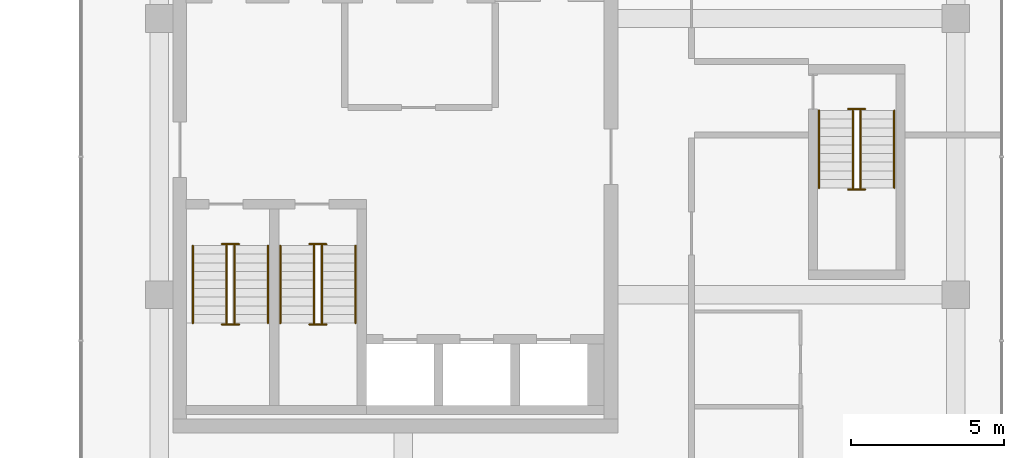
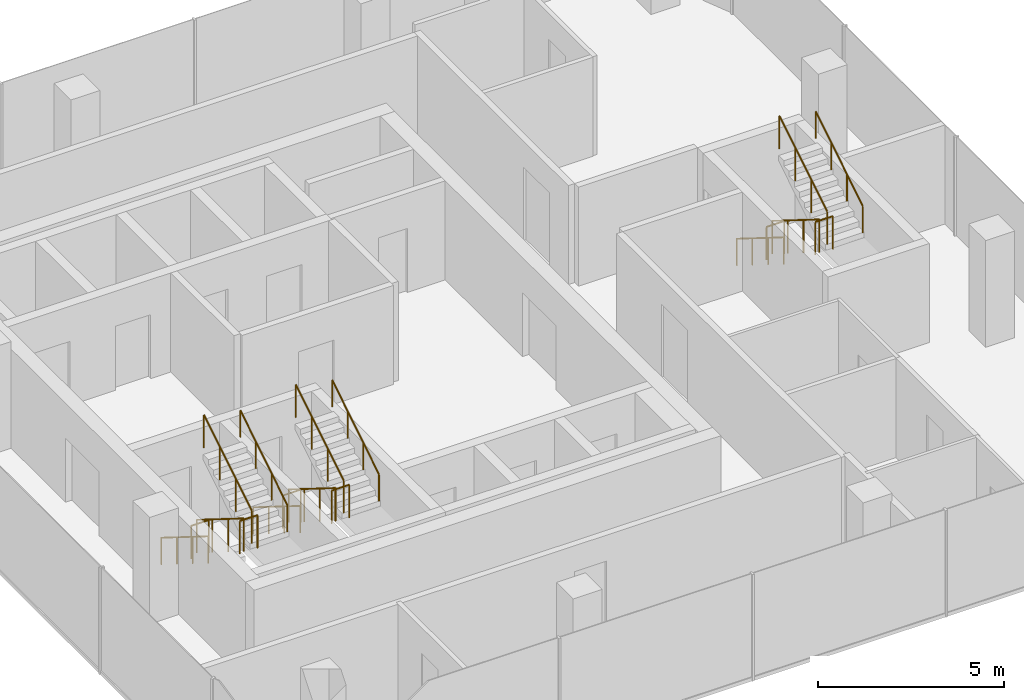
# One storey, part 23 of 23: 18 railings.
"""IFC4 building model written with IfcOpenShell, lengths in metres."""

from ifc_helpers import new_model, si_unit, direction, frame, origin, origin_2d, place, context, subcontext, project, spatial, circle, extrude, material, type_object, element, save


model = new_model("IFC4")

# Units and contexts
model_context = context("Model", 3, precision=1e-05, world=origin(), true_north=direction((0.0, 1.0)))
body_context = subcontext(model_context, "Body", "Model", "MODEL_VIEW")
ifc_project = project(units=[si_unit("LENGTHUNIT", "METRE"), si_unit("AREAUNIT", "SQUARE_METRE"), si_unit("VOLUMEUNIT", "CUBIC_METRE"), si_unit("PLANEANGLEUNIT", "RADIAN"), si_unit("MASSUNIT", "GRAM", prefix="KILO")], contexts=[model_context])

# Site, building, storey
site_placement = place(None, origin())
site = spatial("IfcSite", under=ifc_project, at=site_placement, CompositionType="ELEMENT")
building_placement = place(site_placement, origin())
building = spatial("IfcBuilding", under=site, at=building_placement, Name="Plateau Cross Towers", CompositionType="ELEMENT")
storey_placement = place(building_placement, frame((0.0, 0.0, 81.800048828125)))
storey = spatial("IfcBuildingStorey", under=building, at=storey_placement, Name="L20", CompositionType="ELEMENT", Elevation=81.800048828125)

# Railings
ifc_material_1 = material(Name="Stainless steel and toughened glass", Category="steel")
railing_type_1 = type_object("IfcRailingType", Name="RL-GUARD-1100", PredefinedType="GUARDRAIL", material=ifc_material_1)
railing_1_placement = place(storey_placement, frame((76.75, 6.10009765625, 0.175048828125)))
element("IfcRailing", 1, at=railing_1_placement, inside=storey, type_object=railing_type_1, Name="L20 SB-1 stair guard 1", PredefinedType="GUARDRAIL", context=body_context, shape_type="SweptSolid", body=[
    extrude(circle(Radius=0.02392578125, at=origin_2d()), frame((0.0, 0.0, 1.076171875), z_axis=(0.0, -0.848007534815, 0.529984170421), x_axis=(1.0, 0.0, 0.0)), (0.0, 0.0, 1.0), 2.9716796875),
    extrude(circle(Radius=0.02099609375, at=origin_2d()), origin(), (0.0, 0.0, 1.0), 1.052001953125),
    extrude(circle(Radius=0.02099609375, at=origin_2d()), frame((0.0, -0.840087890625, 0.52490234375)), (0.0, 0.0, 1.0), 1.052001953125),
    extrude(circle(Radius=0.02099609375, at=origin_2d()), frame((0.0, -1.679931640625, 1.050048828125)), (0.0, 0.0, 1.0), 1.052001953125),
    extrude(circle(Radius=0.02099609375, at=origin_2d()), frame((0.0, -2.52001953125, 1.574951171875)), (0.0, 0.0, 1.0), 1.052001953125),
])
railing_2_placement = place(storey_placement, frame((76.60009765625, 3.530029296875, 1.75)))
element("IfcRailing", 2, at=railing_2_placement, inside=storey, type_object=railing_type_1, Name="L20 SB-1 stair guard 2", PredefinedType="GUARDRAIL", context=body_context, shape_type="SweptSolid", body=[
    extrude(circle(Radius=0.02392578125, at=origin_2d()), frame((0.0, 0.0, 1.076171875), z_axis=(1.0, 0.0, 0.0), x_axis=(0.0, 1.0, 0.0)), (0.0, 0.0, 1.0), 0.5498046875),
    extrude(circle(Radius=0.02099609375, at=origin_2d()), origin(), (0.0, 0.0, 1.0), 1.052001953125),
    extrude(circle(Radius=0.02099609375, at=origin_2d()), frame((0.5498046875, 0.0, 0.0)), (0.0, 0.0, 1.0), 1.052001953125),
])
railing_3_placement = place(storey_placement, frame((77.0, 3.580078125, 1.925048828125)))
element("IfcRailing", 3, at=railing_3_placement, inside=storey, type_object=railing_type_1, Name="L20 SB-1 stair guard 3", PredefinedType="GUARDRAIL", context=body_context, shape_type="SweptSolid", body=[
    extrude(circle(Radius=0.02392578125, at=origin_2d()), frame((0.0, 0.0, 1.076171875), z_axis=(0.0, 0.852616386126, 0.522537365276), x_axis=(-1.0, 0.0, 0.0)), (0.0, 0.0, 1.0), 3.01416015625),
    extrude(circle(Radius=0.02099609375, at=origin_2d()), origin(), (0.0, 0.0, 1.0), 1.052001953125),
    extrude(circle(Radius=0.02099609375, at=origin_2d()), frame((0.0, 0.856689453125, 0.52490234375)), (0.0, 0.0, 1.0), 1.052001953125),
    extrude(circle(Radius=0.02099609375, at=origin_2d()), frame((0.0, 1.713134765625, 1.050048828125)), (0.0, 0.0, 1.0), 1.052001953125),
    extrude(circle(Radius=0.02099609375, at=origin_2d()), frame((0.0, 2.56982421875, 1.574951171875)), (0.0, 0.0, 1.0), 1.052001953125),
])
railing_4_placement = place(storey_placement, frame((76.60009765625, 6.14990234375, 0.0)))
element("IfcRailing", 4, at=railing_4_placement, inside=storey, type_object=railing_type_1, Name="L20 SB-1 stair guard 4", PredefinedType="GUARDRAIL", context=body_context, shape_type="SweptSolid", body=[
    extrude(circle(Radius=0.02392578125, at=origin_2d()), frame((0.0, 0.0, 1.076171875), z_axis=(1.0, 0.0, 0.0), x_axis=(0.0, 1.0, 0.0)), (0.0, 0.0, 1.0), 0.5498046875),
    extrude(circle(Radius=0.02099609375, at=origin_2d()), origin(), (0.0, 0.0, 1.0), 1.052001953125),
    extrude(circle(Radius=0.02099609375, at=origin_2d()), frame((0.5498046875, 0.0, 0.0)), (0.0, 0.0, 1.0), 1.052001953125),
])
railing_5_placement = place(storey_placement, frame((79.60009765625, 6.10009765625, 0.175048828125)))
element("IfcRailing", 5, at=railing_5_placement, inside=storey, type_object=railing_type_1, Name="L20 SB-2 stair guard 1", PredefinedType="GUARDRAIL", context=body_context, shape_type="SweptSolid", body=[
    extrude(circle(Radius=0.02392578125, at=origin_2d()), frame((0.0, 0.0, 1.076171875), z_axis=(0.0, -0.848007534815, 0.529984170421), x_axis=(1.0, 0.0, 0.0)), (0.0, 0.0, 1.0), 2.9716796875),
    extrude(circle(Radius=0.02099609375, at=origin_2d()), origin(), (0.0, 0.0, 1.0), 1.052001953125),
    extrude(circle(Radius=0.02099609375, at=origin_2d()), frame((0.0, -0.840087890625, 0.52490234375)), (0.0, 0.0, 1.0), 1.052001953125),
    extrude(circle(Radius=0.02099609375, at=origin_2d()), frame((0.0, -1.679931640625, 1.050048828125)), (0.0, 0.0, 1.0), 1.052001953125),
    extrude(circle(Radius=0.02099609375, at=origin_2d()), frame((0.0, -2.52001953125, 1.574951171875)), (0.0, 0.0, 1.0), 1.052001953125),
])
railing_6_placement = place(storey_placement, frame((79.449951171875, 3.530029296875, 1.75)))
element("IfcRailing", 6, at=railing_6_placement, inside=storey, type_object=railing_type_1, Name="L20 SB-2 stair guard 2", PredefinedType="GUARDRAIL", context=body_context, shape_type="SweptSolid", body=[
    extrude(circle(Radius=0.02392578125, at=origin_2d()), frame((0.0, 0.0, 1.076171875), z_axis=(1.0, 0.0, 0.0), x_axis=(0.0, 1.0, 0.0)), (0.0, 0.0, 1.0), 0.550048828125),
    extrude(circle(Radius=0.02099609375, at=origin_2d()), origin(), (0.0, 0.0, 1.0), 1.052001953125),
    extrude(circle(Radius=0.02099609375, at=origin_2d()), frame((0.550048828125, 0.0, 0.0)), (0.0, 0.0, 1.0), 1.052001953125),
])
railing_7_placement = place(storey_placement, frame((79.85009765625, 3.580078125, 1.925048828125)))
element("IfcRailing", 7, at=railing_7_placement, inside=storey, type_object=railing_type_1, Name="L20 SB-2 stair guard 3", PredefinedType="GUARDRAIL", context=body_context, shape_type="SweptSolid", body=[
    extrude(circle(Radius=0.02392578125, at=origin_2d()), frame((0.0, 0.0, 1.076171875), z_axis=(0.0, 0.852616386126, 0.522537365276), x_axis=(-1.0, 0.0, 0.0)), (0.0, 0.0, 1.0), 3.01416015625),
    extrude(circle(Radius=0.02099609375, at=origin_2d()), origin(), (0.0, 0.0, 1.0), 1.052001953125),
    extrude(circle(Radius=0.02099609375, at=origin_2d()), frame((0.0, 0.856689453125, 0.52490234375)), (0.0, 0.0, 1.0), 1.052001953125),
    extrude(circle(Radius=0.02099609375, at=origin_2d()), frame((0.0, 1.713134765625, 1.050048828125)), (0.0, 0.0, 1.0), 1.052001953125),
    extrude(circle(Radius=0.02099609375, at=origin_2d()), frame((0.0, 2.56982421875, 1.574951171875)), (0.0, 0.0, 1.0), 1.052001953125),
])
railing_8_placement = place(storey_placement, frame((79.449951171875, 6.14990234375, 0.0)))
element("IfcRailing", 8, at=railing_8_placement, inside=storey, type_object=railing_type_1, Name="L20 SB-2 stair guard 4", PredefinedType="GUARDRAIL", context=body_context, shape_type="SweptSolid", body=[
    extrude(circle(Radius=0.02392578125, at=origin_2d()), frame((0.0, 0.0, 1.076171875), z_axis=(1.0, 0.0, 0.0), x_axis=(0.0, 1.0, 0.0)), (0.0, 0.0, 1.0), 0.550048828125),
    extrude(circle(Radius=0.02099609375, at=origin_2d()), origin(), (0.0, 0.0, 1.0), 1.052001953125),
    extrude(circle(Radius=0.02099609375, at=origin_2d()), frame((0.550048828125, 0.0, 0.0)), (0.0, 0.0, 1.0), 1.052001953125),
])
railing_9_placement = place(storey_placement, frame((97.14990234375, 10.5, 0.175048828125)))
element("IfcRailing", 9, at=railing_9_placement, inside=storey, type_object=railing_type_1, Name="L20 SB-3 stair guard 1", PredefinedType="GUARDRAIL", context=body_context, shape_type="SweptSolid", body=[
    extrude(circle(Radius=0.02392578125, at=origin_2d()), frame((0.0, 0.0, 1.076171875), z_axis=(0.0, -0.848007534815, 0.529984170421), x_axis=(1.0, 0.0, 0.0)), (0.0, 0.0, 1.0), 2.9716796875),
    extrude(circle(Radius=0.02099609375, at=origin_2d()), origin(), (0.0, 0.0, 1.0), 1.052001953125),
    extrude(circle(Radius=0.02099609375, at=origin_2d()), frame((0.0, -0.840087890625, 0.52490234375)), (0.0, 0.0, 1.0), 1.052001953125),
    extrude(circle(Radius=0.02099609375, at=origin_2d()), frame((0.0, -1.679931640625, 1.050048828125)), (0.0, 0.0, 1.0), 1.052001953125),
    extrude(circle(Radius=0.02099609375, at=origin_2d()), frame((0.0, -2.52001953125, 1.574951171875)), (0.0, 0.0, 1.0), 1.052001953125),
])
railing_10_placement = place(storey_placement, frame((97.0, 7.929931640625, 1.75)))
element("IfcRailing", 10, at=railing_10_placement, inside=storey, type_object=railing_type_1, Name="L20 SB-3 stair guard 2", PredefinedType="GUARDRAIL", context=body_context, shape_type="SweptSolid", body=[
    extrude(circle(Radius=0.02392578125, at=origin_2d()), frame((0.0, 0.0, 1.076171875), z_axis=(1.0, 0.0, 0.0), x_axis=(0.0, 1.0, 0.0)), (0.0, 0.0, 1.0), 0.550048828125),
    extrude(circle(Radius=0.02099609375, at=origin_2d()), origin(), (0.0, 0.0, 1.0), 1.052001953125),
    extrude(circle(Radius=0.02099609375, at=origin_2d()), frame((0.550048828125, 0.0, 0.0)), (0.0, 0.0, 1.0), 1.052001953125),
])
railing_11_placement = place(storey_placement, frame((97.39990234375, 7.97998046875, 1.925048828125)))
element("IfcRailing", 11, at=railing_11_placement, inside=storey, type_object=railing_type_1, Name="L20 SB-3 stair guard 3", PredefinedType="GUARDRAIL", context=body_context, shape_type="SweptSolid", body=[
    extrude(circle(Radius=0.02392578125, at=origin_2d()), frame((0.0, 0.0, 1.076171875), z_axis=(0.0, 0.852638500773, 0.522501279423), x_axis=(-1.0, 0.0, 0.0)), (0.0, 0.0, 1.0), 3.01416015625),
    extrude(circle(Radius=0.02099609375, at=origin_2d()), origin(), (0.0, 0.0, 1.0), 1.052001953125),
    extrude(circle(Radius=0.02099609375, at=origin_2d()), frame((0.0, 0.856689453125, 0.52490234375)), (0.0, 0.0, 1.0), 1.052001953125),
    extrude(circle(Radius=0.02099609375, at=origin_2d()), frame((0.0, 1.71337890625, 1.050048828125)), (0.0, 0.0, 1.0), 1.052001953125),
    extrude(circle(Radius=0.02099609375, at=origin_2d()), frame((0.0, 2.570068359375, 1.574951171875)), (0.0, 0.0, 1.0), 1.052001953125),
])
railing_12_placement = place(storey_placement, frame((97.0, 10.550048828125, 0.0)))
element("IfcRailing", 12, at=railing_12_placement, inside=storey, type_object=railing_type_1, Name="L20 SB-3 stair guard 4", PredefinedType="GUARDRAIL", context=body_context, shape_type="SweptSolid", body=[
    extrude(circle(Radius=0.02392578125, at=origin_2d()), frame((0.0, 0.0, 1.076171875), z_axis=(1.0, 0.0, 0.0), x_axis=(0.0, 1.0, 0.0)), (0.0, 0.0, 1.0), 0.550048828125),
    extrude(circle(Radius=0.02099609375, at=origin_2d()), origin(), (0.0, 0.0, 1.0), 1.052001953125),
    extrude(circle(Radius=0.02099609375, at=origin_2d()), frame((0.550048828125, 0.0, 0.0)), (0.0, 0.0, 1.0), 1.052001953125),
])
ifc_material_2 = material(Name="Black anodised aluminium", Category="aluminium")
railing_type_2 = type_object("IfcRailingType", Name="RL-HANDRAIL-900", PredefinedType="HANDRAIL", material=ifc_material_2)
railing_13_placement = place(storey_placement, frame((75.64990234375, 6.10009765625, 0.175048828125)))
element("IfcRailing", 13, at=railing_13_placement, inside=storey, type_object=railing_type_2, Name="L20 SB-1 stair handrail 1", PredefinedType="HANDRAIL", context=body_context, shape_type="SweptSolid", body=[
    extrude(circle(Radius=0.02392578125, at=origin_2d()), frame((0.0, 0.0, 0.8759765625), z_axis=(0.0, -0.848007534815, 0.529984170421), x_axis=(1.0, 0.0, 0.0)), (0.0, 0.0, 1.0), 2.9716796875),
    extrude(circle(Radius=0.02099609375, at=origin_2d()), origin(), (0.0, 0.0, 1.0), 0.851806640625),
    extrude(circle(Radius=0.02099609375, at=origin_2d()), frame((0.0, -0.840087890625, 0.52490234375)), (0.0, 0.0, 1.0), 0.851806640625),
    extrude(circle(Radius=0.02099609375, at=origin_2d()), frame((0.0, -1.679931640625, 1.050048828125)), (0.0, 0.0, 1.0), 0.851806640625),
    extrude(circle(Radius=0.02099609375, at=origin_2d()), frame((0.0, -2.52001953125, 1.574951171875)), (0.0, 0.0, 1.0), 0.851806640625),
])
railing_14_placement = place(storey_placement, frame((78.10009765625, 3.580078125, 1.925048828125)))
element("IfcRailing", 14, at=railing_14_placement, inside=storey, type_object=railing_type_2, Name="L20 SB-1 stair handrail 2", PredefinedType="HANDRAIL", context=body_context, shape_type="SweptSolid", body=[
    extrude(circle(Radius=0.02392578125, at=origin_2d()), frame((0.0, 0.0, 0.8759765625), z_axis=(0.0, 0.848007534815, 0.529984170421), x_axis=(-1.0, 0.0, 0.0)), (0.0, 0.0, 1.0), 2.9716796875),
    extrude(circle(Radius=0.02099609375, at=origin_2d()), origin(), (0.0, 0.0, 1.0), 0.851806640625),
    extrude(circle(Radius=0.02099609375, at=origin_2d()), frame((0.0, 0.840087890625, 0.52490234375)), (0.0, 0.0, 1.0), 0.851806640625),
    extrude(circle(Radius=0.02099609375, at=origin_2d()), frame((0.0, 1.679931640625, 1.050048828125)), (0.0, 0.0, 1.0), 0.851806640625),
    extrude(circle(Radius=0.02099609375, at=origin_2d()), frame((0.0, 2.52001953125, 1.574951171875)), (0.0, 0.0, 1.0), 0.851806640625),
])
railing_15_placement = place(storey_placement, frame((78.5, 6.10009765625, 0.175048828125)))
element("IfcRailing", 15, at=railing_15_placement, inside=storey, type_object=railing_type_2, Name="L20 SB-2 stair handrail 1", PredefinedType="HANDRAIL", context=body_context, shape_type="SweptSolid", body=[
    extrude(circle(Radius=0.02392578125, at=origin_2d()), frame((0.0, 0.0, 0.8759765625), z_axis=(0.0, -0.848007534815, 0.529984170421), x_axis=(1.0, 0.0, 0.0)), (0.0, 0.0, 1.0), 2.9716796875),
    extrude(circle(Radius=0.02099609375, at=origin_2d()), origin(), (0.0, 0.0, 1.0), 0.851806640625),
    extrude(circle(Radius=0.02099609375, at=origin_2d()), frame((0.0, -0.840087890625, 0.52490234375)), (0.0, 0.0, 1.0), 0.851806640625),
    extrude(circle(Radius=0.02099609375, at=origin_2d()), frame((0.0, -1.679931640625, 1.050048828125)), (0.0, 0.0, 1.0), 0.851806640625),
    extrude(circle(Radius=0.02099609375, at=origin_2d()), frame((0.0, -2.52001953125, 1.574951171875)), (0.0, 0.0, 1.0), 0.851806640625),
])
railing_16_placement = place(storey_placement, frame((80.949951171875, 3.580078125, 1.925048828125)))
element("IfcRailing", 16, at=railing_16_placement, inside=storey, type_object=railing_type_2, Name="L20 SB-2 stair handrail 2", PredefinedType="HANDRAIL", context=body_context, shape_type="SweptSolid", body=[
    extrude(circle(Radius=0.02392578125, at=origin_2d()), frame((0.0, 0.0, 0.8759765625), z_axis=(0.0, 0.848007534815, 0.529984170421), x_axis=(-1.0, 0.0, 0.0)), (0.0, 0.0, 1.0), 2.9716796875),
    extrude(circle(Radius=0.02099609375, at=origin_2d()), origin(), (0.0, 0.0, 1.0), 0.851806640625),
    extrude(circle(Radius=0.02099609375, at=origin_2d()), frame((0.0, 0.840087890625, 0.52490234375)), (0.0, 0.0, 1.0), 0.851806640625),
    extrude(circle(Radius=0.02099609375, at=origin_2d()), frame((0.0, 1.679931640625, 1.050048828125)), (0.0, 0.0, 1.0), 0.851806640625),
    extrude(circle(Radius=0.02099609375, at=origin_2d()), frame((0.0, 2.52001953125, 1.574951171875)), (0.0, 0.0, 1.0), 0.851806640625),
])
railing_17_placement = place(storey_placement, frame((96.050048828125, 10.5, 0.175048828125)))
element("IfcRailing", 17, at=railing_17_placement, inside=storey, type_object=railing_type_2, Name="L20 SB-3 stair handrail 1", PredefinedType="HANDRAIL", context=body_context, shape_type="SweptSolid", body=[
    extrude(circle(Radius=0.02392578125, at=origin_2d()), frame((0.0, 0.0, 0.8759765625), z_axis=(0.0, -0.848007534815, 0.529984170421), x_axis=(1.0, 0.0, 0.0)), (0.0, 0.0, 1.0), 2.9716796875),
    extrude(circle(Radius=0.02099609375, at=origin_2d()), origin(), (0.0, 0.0, 1.0), 0.851806640625),
    extrude(circle(Radius=0.02099609375, at=origin_2d()), frame((0.0, -0.840087890625, 0.52490234375)), (0.0, 0.0, 1.0), 0.851806640625),
    extrude(circle(Radius=0.02099609375, at=origin_2d()), frame((0.0, -1.679931640625, 1.050048828125)), (0.0, 0.0, 1.0), 0.851806640625),
    extrude(circle(Radius=0.02099609375, at=origin_2d()), frame((0.0, -2.52001953125, 1.574951171875)), (0.0, 0.0, 1.0), 0.851806640625),
])
railing_18_placement = place(storey_placement, frame((98.5, 7.97998046875, 1.925048828125)))
element("IfcRailing", 18, at=railing_18_placement, inside=storey, type_object=railing_type_2, Name="L20 SB-3 stair handrail 2", PredefinedType="HANDRAIL", context=body_context, shape_type="SweptSolid", body=[
    extrude(circle(Radius=0.02392578125, at=origin_2d()), frame((0.0, 0.0, 0.8759765625), z_axis=(0.0, 0.848007534815, 0.529984170421), x_axis=(-1.0, 0.0, 0.0)), (0.0, 0.0, 1.0), 2.9716796875),
    extrude(circle(Radius=0.02099609375, at=origin_2d()), origin(), (0.0, 0.0, 1.0), 0.851806640625),
    extrude(circle(Radius=0.02099609375, at=origin_2d()), frame((0.0, 0.840087890625, 0.52490234375)), (0.0, 0.0, 1.0), 0.851806640625),
    extrude(circle(Radius=0.02099609375, at=origin_2d()), frame((0.0, 1.679931640625, 1.050048828125)), (0.0, 0.0, 1.0), 0.851806640625),
    extrude(circle(Radius=0.02099609375, at=origin_2d()), frame((0.0, 2.52001953125, 1.574951171875)), (0.0, 0.0, 1.0), 0.851806640625),
])

save(model, "model.ifc")
